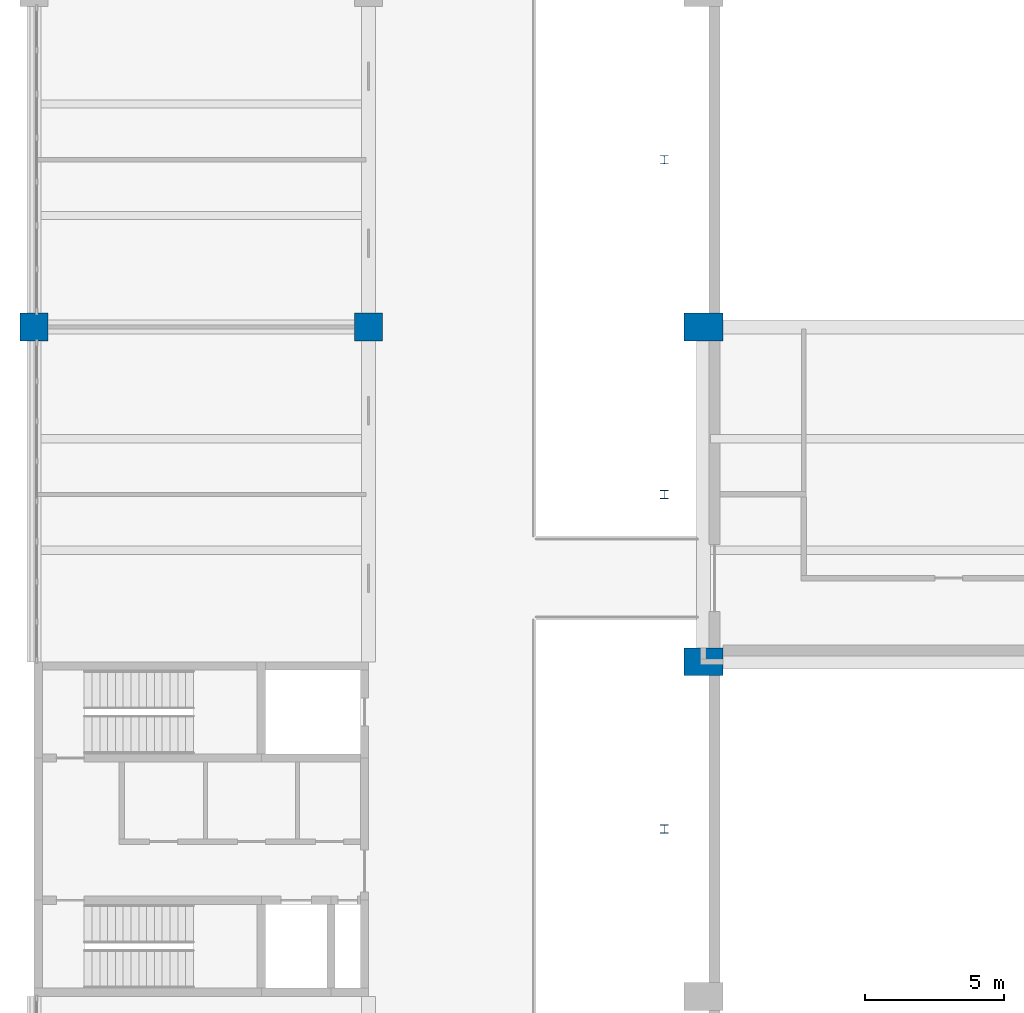
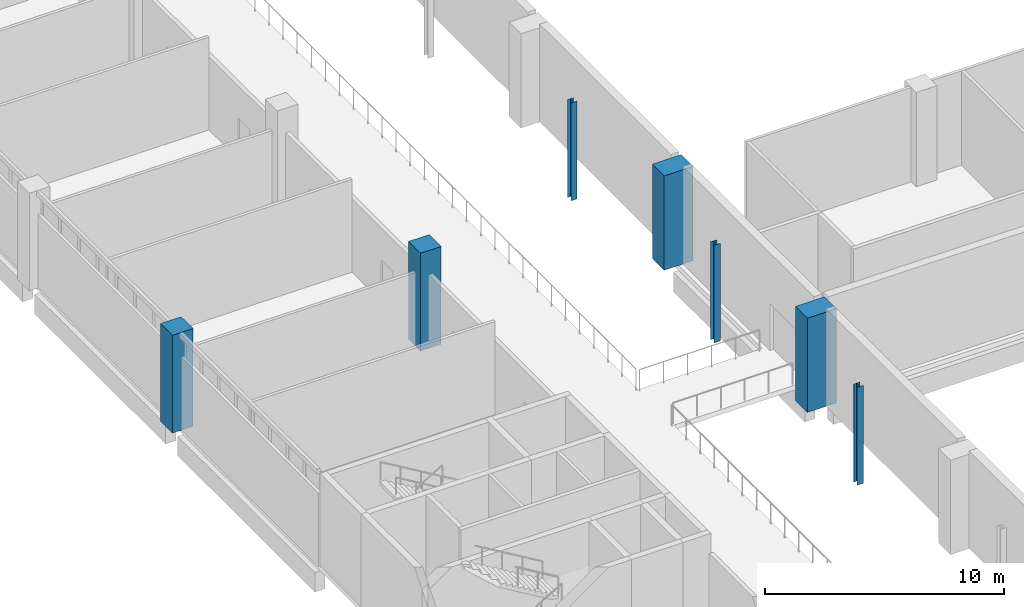
# One storey, part 4 of 69: 7 columns.
"""IFC4 building model written with IfcOpenShell, lengths in metres."""

from ifc_helpers import new_model, si_unit, direction, frame, origin, origin_2d, place, context, subcontext, project, spatial, rectangle, i_section, extrude, material, material_profile, profile_set, type_object, element, save


model = new_model("IFC4")

# Units and contexts
model_context = context("Model", 3, precision=1e-05, world=origin(), true_north=direction((0.0, 1.0)))
body_context = subcontext(model_context, "Body", "Model", "MODEL_VIEW")
ifc_project = project(units=[si_unit("LENGTHUNIT", "METRE"), si_unit("AREAUNIT", "SQUARE_METRE"), si_unit("VOLUMEUNIT", "CUBIC_METRE"), si_unit("PLANEANGLEUNIT", "RADIAN"), si_unit("MASSUNIT", "GRAM", prefix="KILO")], contexts=[model_context])

# Site, building, storey
site_placement = place(None, origin())
site = spatial("IfcSite", under=ifc_project, at=site_placement, CompositionType="ELEMENT")
building_placement = place(site_placement, origin())
building = spatial("IfcBuilding", under=site, at=building_placement, Name="Lilac Gate Convention Centre", CompositionType="ELEMENT")
storey_placement = place(building_placement, frame((0.0, 0.0, 12.0)))
storey = spatial("IfcBuildingStorey", under=building, at=storey_placement, Name="L02", CompositionType="ELEMENT", Elevation=12.0)

# Columns
ifc_material_1 = material(Name="Concrete C40", Category="concrete")
ifc_material_profile_1 = material_profile(ifc_material_1, rectangle(XDim=1.0, YDim=1.0, at=origin_2d()), Name="RC 1000x1000")
ifc_profile_set_1 = profile_set([ifc_material_profile_1], Name="Concrete C40")
column_type_1 = type_object("IfcColumnType", Name="RC column 1000x1000 C40", PredefinedType="COLUMN", material=ifc_profile_set_1)
for number, where, z_axis, x_axis, name in (
    (1, (6.0, 114.0, 0.0), (0.0, 0.0, 1.0), (1.0, 0.0, 0.0), "C1 L02 at 1/H"),
    (2, (18.0, 114.0, 0.0), (0.0, 0.0, 1.0), (1.0, 0.0, 0.0), "C1 L02 at 2/H"),
):
    element("IfcColumn", number, at=place(storey_placement, frame(where, z_axis=z_axis, x_axis=x_axis)), inside=storey, type_object=column_type_1, Name=name, PredefinedType="COLUMN", context=body_context, shape_type="SweptSolid", body=[
        extrude(rectangle(XDim=1.0, YDim=1.0, at=origin_2d()), origin(), (0.0, 0.0, 1.0), 5.0),
    ])
ifc_material_profile_2 = material_profile(ifc_material_1, rectangle(XDim=1.39990234375, YDim=1.0, at=origin_2d()), Name="RC 1400x1000")
ifc_profile_set_2 = profile_set([ifc_material_profile_2], Name="Concrete C40")
column_type_2 = type_object("IfcColumnType", Name="RC hall column 1400x1000 C40", PredefinedType="COLUMN", material=ifc_profile_set_2)
for number, where, z_axis, x_axis, name in (
    (3, (30.0, 102.0, 0.0), (0.0, 0.0, 1.0), (1.0, 0.0, 0.0), "C2 L02 at 3/G"),
    (4, (30.0, 114.0, 0.0), (0.0, 0.0, 1.0), (1.0, 0.0, 0.0), "C2 L02 at 3/H"),
):
    element("IfcColumn", number, at=place(storey_placement, frame(where, z_axis=z_axis, x_axis=x_axis)), inside=storey, type_object=column_type_2, Name=name, PredefinedType="COLUMN", context=body_context, shape_type="SweptSolid", body=[
        extrude(rectangle(XDim=1.39990234375, YDim=1.0, at=origin_2d()), origin(), (0.0, 0.0, 1.0), 4.824951171875),
    ])
ifc_material_2 = material(Name="Steel Q355B", Category="steel")
ifc_material_profile_3 = material_profile(ifc_material_2, i_section(OverallWidth=0.300048828125, OverallDepth=0.300048828125, WebThickness=0.010009765625, FlangeThickness=0.014892578125, FilletRadius=0.012939453125, at=origin_2d()), Name="HW300x300x10x15")
ifc_profile_set_3 = profile_set([ifc_material_profile_3], Name="Steel Q355B")
column_type_3 = type_object("IfcColumnType", Name="Steel column HW300x300x10x15", PredefinedType="COLUMN", material=ifc_profile_set_3)
for number, where, z_axis, x_axis, name in (
    (5, (28.60009765625, 96.0, 0.0), (0.0, 0.0, 1.0), (1.0, 0.0, 0.0), "SC1 L02 atrium column at 96"),
    (6, (28.60009765625, 108.0, 0.0), (0.0, 0.0, 1.0), (1.0, 0.0, 0.0), "SC1 L02 atrium column at 108"),
    (7, (28.60009765625, 120.0, 0.0), (0.0, 0.0, 1.0), (1.0, 0.0, 0.0), "SC1 L02 atrium column at 120"),
):
    element("IfcColumn", number, at=place(storey_placement, frame(where, z_axis=z_axis, x_axis=x_axis)), inside=storey, type_object=column_type_3, Name=name, PredefinedType="COLUMN", context=body_context, shape_type="SweptSolid", body=[
        extrude(i_section(OverallWidth=0.300048828125, OverallDepth=0.300048828125, WebThickness=0.010009765625, FlangeThickness=0.014892578125, FilletRadius=0.012939453125, at=origin_2d()), origin(), (0.0, 0.0, 1.0), 5.0),
    ])

save(model, "model.ifc")
